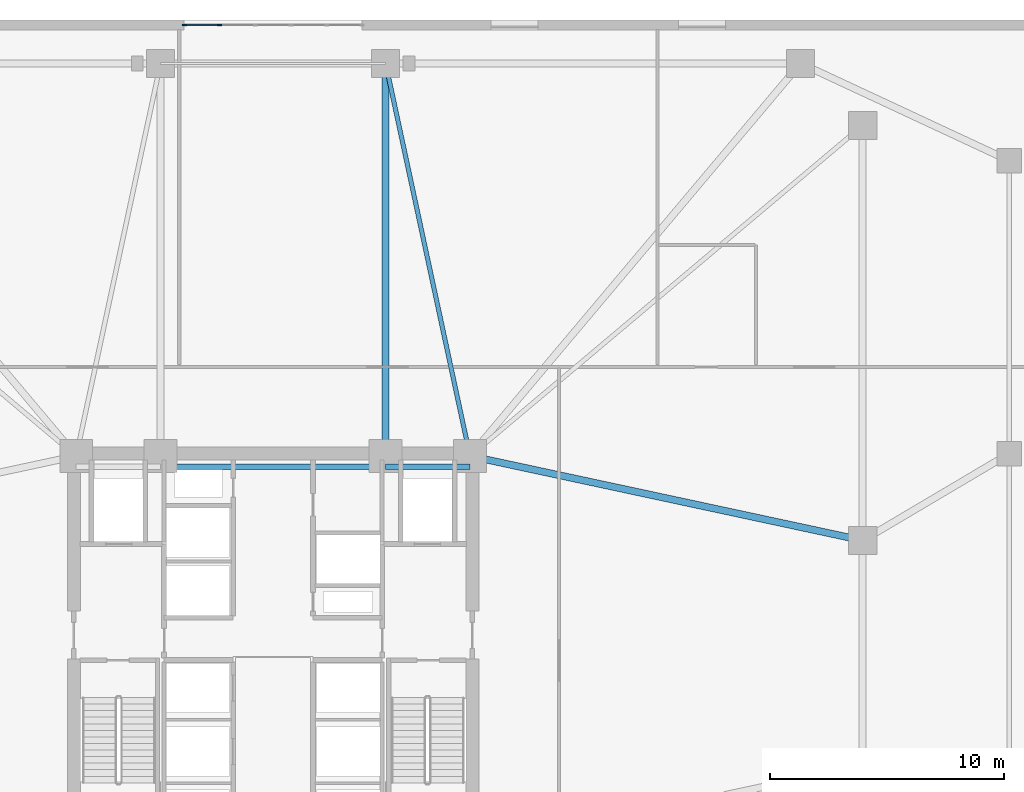
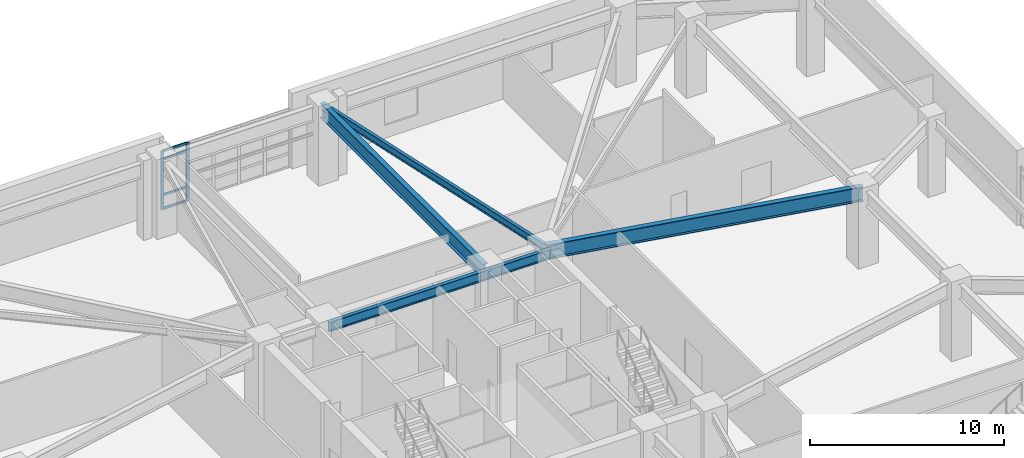
# One storey, part 6 of 20: 6 members, 5 beams, 1 element without a shape of its own.
"""IFC4 building model written with IfcOpenShell, lengths in metres."""

from ifc_helpers import new_model, si_unit, direction, frame, origin, origin_2d, place, context, subcontext, project, spatial, rectangle, i_section, extrude, material, layer, layer_set, material_profile, profile_set, type_object, element, aggregate, save


model = new_model("IFC4")

# Units and contexts
model_context = context("Model", 3, precision=1e-05, world=origin(), true_north=direction((0.0, 1.0)))
body_context = subcontext(model_context, "Body", "Model", "MODEL_VIEW")
ifc_project = project(units=[si_unit("LENGTHUNIT", "METRE"), si_unit("AREAUNIT", "SQUARE_METRE"), si_unit("VOLUMEUNIT", "CUBIC_METRE"), si_unit("PLANEANGLEUNIT", "RADIAN"), si_unit("MASSUNIT", "GRAM", prefix="KILO")], contexts=[model_context])

# Site, building, storey
site_placement = place(None, origin())
site = spatial("IfcSite", under=ifc_project, at=site_placement, CompositionType="ELEMENT")
building_placement = place(site_placement, origin())
building = spatial("IfcBuilding", under=site, at=building_placement, Name="Cairnveth Concourse Tower", CompositionType="ELEMENT")
storey_placement = place(building_placement, frame((0.0, 0.0, 5.0)))
storey = spatial("IfcBuildingStorey", under=building, at=storey_placement, Name="L01", CompositionType="ELEMENT", Elevation=5.0)

# Curtain wall, members
ifc_material_1 = material(Name="Architectural Bronze Anodised Aluminium 6063-T6", Category="aluminium")
ifc_layer = layer(ifc_material_1, 0.360107421875)
ifc_layer_set = layer_set([ifc_layer], Name="Architectural Bronze Anodised Aluminium 6063-T6")
curtain_wall_type = type_object("IfcCurtainWallType", Name="CONCOURSE GALLERIA PORTAL CURTAIN WALL", PredefinedType="USERDEFINED", material=ifc_layer_set)
curtain_wall_placement = place(storey_placement, origin())
curtain_wall = element("IfcCurtainWall", 1, at=curtain_wall_placement, inside=storey, type_object=curtain_wall_type, Name="Curtain Wall CW-L01-N1", ObjectType="UNITISED FACADE", PredefinedType="USERDEFINED")
ifc_material_profile_1 = material_profile(ifc_material_1, rectangle(XDim=0.06494140625, YDim=0.179931640625, at=origin_2d()), Name="AL-MUL-65x180")
ifc_profile_set_1 = profile_set([ifc_material_profile_1], Name="Architectural Bronze Anodised Aluminium 6063-T6")
member_type_1 = type_object("IfcMemberType", Name="BRONZE CURTAIN WALL MULLION AL-MUL-65x180", PredefinedType="MULLION", material=ifc_profile_set_1)
member_1_placement = place(storey_placement, frame((48.217529296875, 65.7900390625, 0.0), z_axis=(0.0, 0.0, 1.0), x_axis=(0.0, 1.0, 0.0)))
member_1 = element("IfcMember", 2, at=member_1_placement, type_object=member_type_1, Name="CWS1 mullion 1", PredefinedType="MULLION", context=body_context, shape_type="SweptSolid", body=[
    extrude(rectangle(XDim=0.06494140625, YDim=0.179931640625, at=origin_2d()), origin(), (0.0, 0.0, 1.0), 3.696044921875),
])
member_2_placement = place(storey_placement, frame((49.7109375, 65.7900390625, 0.0), z_axis=(0.0, 0.0, 1.0), x_axis=(0.0, 1.0, 0.0)))
member_2 = element("IfcMember", 3, at=member_2_placement, type_object=member_type_1, Name="CWS1 mullion 2", PredefinedType="MULLION", context=body_context, shape_type="SweptSolid", body=[
    extrude(rectangle(XDim=0.06494140625, YDim=0.179931640625, at=origin_2d()), origin(), (0.0, 0.0, 1.0), 3.696044921875),
])
ifc_material_profile_2 = material_profile(ifc_material_1, rectangle(XDim=0.06494140625, YDim=0.139892578125, at=origin_2d()), Name="AL-TRN-65x140")
ifc_profile_set_2 = profile_set([ifc_material_profile_2], Name="Architectural Bronze Anodised Aluminium 6063-T6")
member_type_2 = type_object("IfcMemberType", Name="BRONZE CURTAIN WALL TRANSOM AL-TRN-65x140", PredefinedType="USERDEFINED", material=ifc_profile_set_2)
member_3_placement = place(storey_placement, frame((48.25, 65.7900390625, 0.032470703125), z_axis=(1.0, 0.0, 0.0), x_axis=(0.0, 1.0, 0.0)))
member_3 = element("IfcMember", 4, at=member_3_placement, type_object=member_type_2, Name="CWS1 transom 1.1", ObjectType="TRANSOM", PredefinedType="USERDEFINED", context=body_context, shape_type="SweptSolid", body=[
    extrude(rectangle(XDim=0.06494140625, YDim=0.139892578125, at=origin_2d()), origin(), (0.0, 0.0, 1.0), 1.428466796875),
])
member_4_placement = place(storey_placement, frame((48.25, 65.7900390625, 0.89990234375), z_axis=(1.0, 0.0, 0.0), x_axis=(0.0, 1.0, 0.0)))
member_4 = element("IfcMember", 5, at=member_4_placement, type_object=member_type_2, Name="CWS1 transom 1.2", ObjectType="TRANSOM", PredefinedType="USERDEFINED", context=body_context, shape_type="SweptSolid", body=[
    extrude(rectangle(XDim=0.06494140625, YDim=0.139892578125, at=origin_2d()), origin(), (0.0, 0.0, 1.0), 1.428466796875),
])
member_5_placement = place(storey_placement, frame((48.25, 65.7900390625, 3.14599609375), z_axis=(1.0, 0.0, 0.0), x_axis=(0.0, 1.0, 0.0)))
member_5 = element("IfcMember", 6, at=member_5_placement, type_object=member_type_2, Name="CWS1 transom 1.3", ObjectType="TRANSOM", PredefinedType="USERDEFINED", context=body_context, shape_type="SweptSolid", body=[
    extrude(rectangle(XDim=0.06494140625, YDim=0.139892578125, at=origin_2d()), origin(), (0.0, 0.0, 1.0), 1.428466796875),
])
member_6_placement = place(storey_placement, frame((48.25, 65.7900390625, 3.66357421875), z_axis=(1.0, 0.0, 0.0), x_axis=(0.0, 1.0, 0.0)))
member_6 = element("IfcMember", 7, at=member_6_placement, type_object=member_type_2, Name="CWS1 transom 1.4", ObjectType="TRANSOM", PredefinedType="USERDEFINED", context=body_context, shape_type="SweptSolid", body=[
    extrude(rectangle(XDim=0.06494140625, YDim=0.139892578125, at=origin_2d()), origin(), (0.0, 0.0, 1.0), 1.428466796875),
])
aggregate(curtain_wall, [member_1, member_2, member_3, member_4, member_5, member_6])

# Beams
ifc_material_2 = material(Name="Steel Grade 350", Category="steel")
ifc_material_profile_3 = material_profile(ifc_material_2, i_section(OverallWidth=0.22802734375, OverallDepth=0.60693359375, WebThickness=0.01123046875, FlangeThickness=0.017333984375, FilletRadius=0.013916015625, at=origin_2d()), Name="610UB113")
ifc_profile_set_3 = profile_set([ifc_material_profile_3], Name="Steel Grade 350")
beam_type_1 = type_object("IfcBeamType", Name="CORE TIE BEAM 610UB113", PredefinedType="T_BEAM", material=ifc_profile_set_3)
beam_1_placement = place(storey_placement, frame((56.800048828125, 46.949951171875, 4.41650390625), z_axis=(1.0, 0.0, 0.0), x_axis=(0.0, 1.0, 0.0)))
element("IfcBeam", 8, at=beam_1_placement, inside=storey, type_object=beam_type_1, Name="Beam CT-N3 L01", PredefinedType="T_BEAM", context=body_context, shape_type="SweptSolid", body=[
    extrude(i_section(OverallWidth=0.22802734375, OverallDepth=0.60693359375, WebThickness=0.01123046875, FlangeThickness=0.017333984375, FilletRadius=0.013916015625, at=origin_2d()), origin(), (0.0, 0.0, 1.0), 3.599853515625),
])
beam_2_placement = place(storey_placement, frame((47.199951171875, 46.949951171875, 4.41650390625), z_axis=(1.0, 0.0, 0.0), x_axis=(0.0, 1.0, 0.0)))
element("IfcBeam", 9, at=beam_2_placement, inside=storey, type_object=beam_type_1, Name="Beam CT-N2 L01", PredefinedType="T_BEAM", context=body_context, shape_type="SweptSolid", body=[
    extrude(i_section(OverallWidth=0.22802734375, OverallDepth=0.60693359375, WebThickness=0.01123046875, FlangeThickness=0.017333984375, FilletRadius=0.013916015625, at=origin_2d()), origin(), (0.0, 0.0, 1.0), 9.60009765625),
])
ifc_material_profile_4 = material_profile(ifc_material_2, i_section(OverallWidth=0.18994140625, OverallDepth=0.45703125, WebThickness=0.009033203125, FlangeThickness=0.014404296875, FilletRadius=0.010986328125, at=origin_2d()), Name="460UB74.6")
ifc_profile_set_4 = profile_set([ifc_material_profile_4], Name="Steel Grade 350")
beam_type_2 = type_object("IfcBeamType", Name="PODIUM FLOOR JOIST 460UB74.6", PredefinedType="JOIST", material=ifc_profile_set_4)
beam_3_placement = place(storey_placement, frame((60.39990234375, 47.39990234375, 4.491455078125), z_axis=(-0.210118799239, 0.977675861524, 0.0), x_axis=(-0.977675861524, -0.210118799239, 0.0)))
element("IfcBeam", 10, at=beam_3_placement, inside=storey, type_object=beam_type_2, Name="Beam PJ-N-X2 L01", PredefinedType="JOIST", context=body_context, shape_type="SweptSolid", body=[
    extrude(i_section(OverallWidth=0.18994140625, OverallDepth=0.45703125, WebThickness=0.009033203125, FlangeThickness=0.014404296875, FilletRadius=0.010986328125, at=origin_2d()), origin(), (0.0, 0.0, 1.0), 17.132568359375),
])
ifc_material_profile_5 = material_profile(ifc_material_2, i_section(OverallWidth=0.300048828125, OverallDepth=0.924072265625, WebThickness=0.013916015625, FlangeThickness=0.031982421875, at=origin_2d()), Name="900WB257")
ifc_profile_set_5 = profile_set([ifc_material_profile_5], Name="Steel Grade 350")
beam_type_3 = type_object("IfcBeamType", Name="PODIUM PRIMARY GIRDER 900WB257", PredefinedType="BEAM", material=ifc_profile_set_5)
beam_4_placement = place(storey_placement, frame((60.39990234375, 47.39990234375, 4.258056640625), z_axis=(0.977675861524, -0.210118799239, 0.0), x_axis=(0.210118799239, 0.977675861524, 0.0)))
element("IfcBeam", 11, at=beam_4_placement, inside=storey, type_object=beam_type_3, Name="Beam PG-E2 L01", PredefinedType="BEAM", context=body_context, shape_type="SweptSolid", body=[
    extrude(i_section(OverallWidth=0.300048828125, OverallDepth=0.924072265625, WebThickness=0.013916015625, FlangeThickness=0.031982421875, at=origin_2d()), origin(), (0.0, 0.0, 1.0), 17.132568359375),
])
beam_5_placement = place(storey_placement, frame((56.800048828125, 47.39990234375, 4.258056640625), z_axis=(0.0, 1.0, 0.0), x_axis=(-1.0, 0.0, 0.0)))
element("IfcBeam", 12, at=beam_5_placement, inside=storey, type_object=beam_type_3, Name="Beam PG-N2 L01", PredefinedType="BEAM", context=body_context, shape_type="SweptSolid", body=[
    extrude(i_section(OverallWidth=0.300048828125, OverallDepth=0.924072265625, WebThickness=0.013916015625, FlangeThickness=0.031982421875, at=origin_2d()), origin(), (0.0, 0.0, 1.0), 16.75),
])

save(model, "model.ifc")
